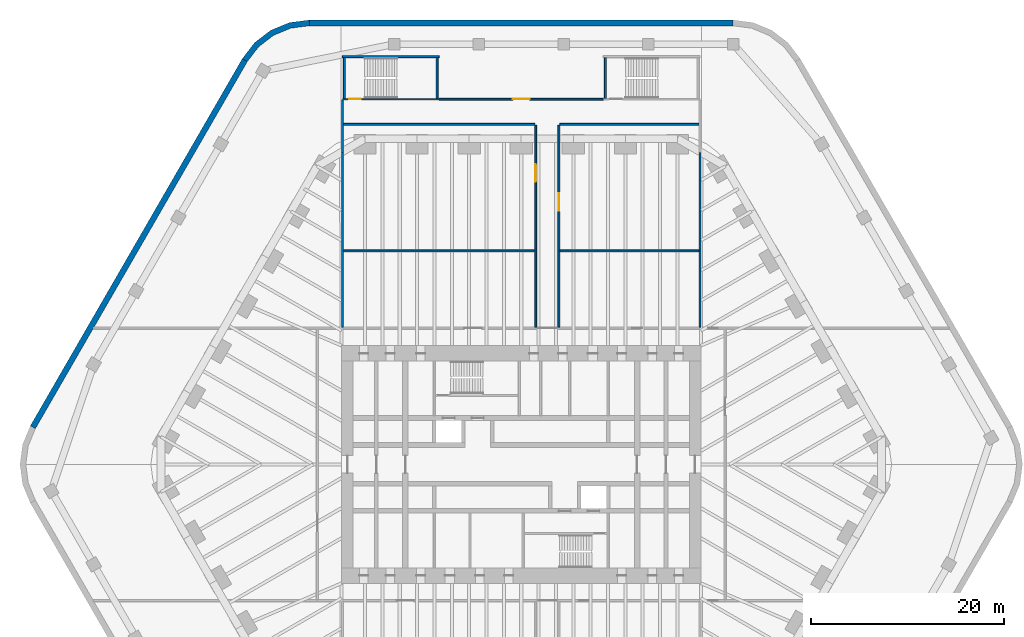
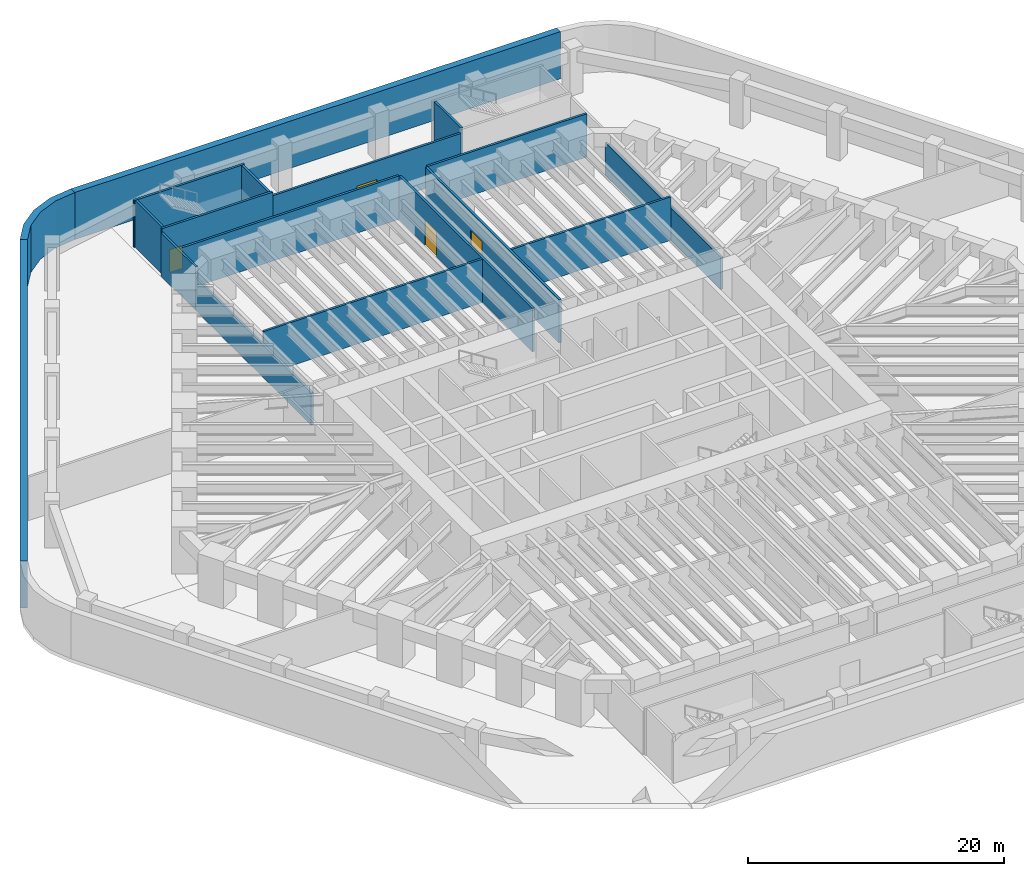
# One storey, part 10 of 12: 18 walls, 4 doors, 4 openings.
"""IFC4 building model written with IfcOpenShell, lengths in metres."""

from ifc_helpers import new_model, si_unit, direction, frame, frame_2d, origin, place, context, subcontext, project, spatial, polyline, rectangle, outline, extrude, material, layer, layer_set, type_object, element, fill, save


model = new_model("IFC4")

# Units and contexts
model_context = context("Model", 3, precision=1e-05, world=origin(), true_north=direction((0.0, 1.0)))
body_context = subcontext(model_context, "Body", "Model", "MODEL_VIEW")
ifc_project = project(units=[si_unit("LENGTHUNIT", "METRE"), si_unit("AREAUNIT", "SQUARE_METRE"), si_unit("VOLUMEUNIT", "CUBIC_METRE"), si_unit("PLANEANGLEUNIT", "RADIAN"), si_unit("MASSUNIT", "GRAM", prefix="KILO")], contexts=[model_context])

# Site, building, storey
site_placement = place(None, origin())
site = spatial("IfcSite", under=ifc_project, at=site_placement, CompositionType="ELEMENT")
building_placement = place(site_placement, origin())
building = spatial("IfcBuilding", under=site, at=building_placement, Name="Tarfa Lantern Tower", CompositionType="ELEMENT")
storey_placement = place(building_placement, frame((0.0, 0.0, -4.5)))
storey = spatial("IfcBuildingStorey", under=building, at=storey_placement, Name="B1", CompositionType="ELEMENT", Elevation=-4.5)

# Walls
ifc_material_1 = material(Name="Concrete blockwork", Category="masonry")
ifc_layer_1 = layer(ifc_material_1, 0.199951171875)
ifc_layer_set_1 = layer_set([ifc_layer_1], Name="IW1 BLOCKWORK PARTITION 200 EI 120")
wall_type_1 = type_object("IfcWallType", Name="IW1 BLOCKWORK PARTITION 200 EI 120", PredefinedType="PARTITIONING", material=ifc_layer_set_1)
wall_1_placement = place(storey_placement, frame((-18.5, 14.199951171875, 0.0), z_axis=(0.0, 0.0, 1.0), x_axis=(0.0, 1.0, 0.0)))
element("IfcWall", 1, at=wall_1_placement, inside=storey, type_object=wall_type_1, Name="Fire-rated partition", PredefinedType="PARTITIONING", context=body_context, shape_type="SweptSolid", body=[
    extrude(rectangle(XDim=18.09033203125, YDim=0.199951171875, at=frame_2d((9.045166015625, 0.0))), origin(), (0.0, 0.0, 1.0), 3.093994140625),
])
wall_2_placement = place(storey_placement, frame((-18.5, 32.290283203125, 0.0), z_axis=(0.0, 0.0, 1.0), x_axis=(0.0, 1.0, 0.0)))
element("IfcWall", 2, at=wall_2_placement, inside=storey, type_object=wall_type_1, Name="Fire-rated partition", PredefinedType="PARTITIONING", context=body_context, shape_type="SweptSolid", body=[
    extrude(rectangle(XDim=5.40966796875, YDim=0.199951171875, at=frame_2d((2.704833984375, 0.0))), origin(), (0.0, 0.0, 1.0), 4.14990234375),
])
wall_3_placement = place(storey_placement, frame((18.5, 14.199951171875, 0.0), z_axis=(0.0, 0.0, 1.0), x_axis=(0.0, 1.0, 0.0)))
element("IfcWall", 3, at=wall_3_placement, inside=storey, type_object=wall_type_1, Name="Fire-rated partition", PredefinedType="PARTITIONING", context=body_context, shape_type="SweptSolid", body=[
    extrude(rectangle(XDim=18.09033203125, YDim=0.199951171875, at=frame_2d((9.045166015625, 0.0))), origin(), (0.0, 0.0, 1.0), 3.093994140625),
])

# Wall, opening, door
wall_4_placement = place(storey_placement, frame((1.5, 14.199951171875, 0.0), z_axis=(0.0, 0.0, 1.0), x_axis=(0.0, 1.0, 0.0)))
wall_4 = element("IfcWall", 4, at=wall_4_placement, inside=storey, type_object=wall_type_1, Name="Fire-rated partition", PredefinedType="PARTITIONING", context=body_context, shape_type="SweptSolid", body=[
    extrude(rectangle(XDim=20.900146484375, YDim=0.199951171875, at=frame_2d((10.4501953125, 0.0))), origin(), (0.0, 0.0, 1.0), 4.14990234375),
])
opening_1_placement = place(wall_4_placement, frame((15.050048828125, 0.0, 0.0)))
opening_1 = element("IfcOpeningElement", 5, at=opening_1_placement, cuts=wall_4, Name="Opening D39", PredefinedType="OPENING", context=body_context, shape_type="SweptSolid", body=[
    extrude(rectangle(XDim=1.800048828125, YDim=2.39990234375, at=frame_2d((0.89990234375, 1.199951171875))), frame((0.0, 0.10986328125, 0.0), z_axis=(0.0, -1.0, 0.0), x_axis=(1.0, 0.0, 0.0)), (0.0, 0.0, 1.0), 0.219970703125),
])
ifc_material_2 = material(Name="Steel fire door", Category="steel")
door_type_1 = type_object("IfcDoorType", Name="DF7 FIRE DOOR 1800x2400", OperationType="DOUBLE_DOOR_SINGLE_SWING", PredefinedType="DOOR", material=ifc_material_2)
door_1_placement = place(opening_1_placement, origin())
door_1 = element("IfcDoor", 6, at=door_1_placement, inside=storey, type_object=door_type_1, Name="Company archive door", OperationType="DOUBLE_DOOR_SINGLE_SWING", OverallHeight=2.39990234375, OverallWidth=1.800048828125, PredefinedType="DOOR", context=body_context, shape_type="SweptSolid", body=[
    extrude(rectangle(XDim=1.800048828125, YDim=2.39990234375, at=frame_2d((0.89990234375, 1.199951171875))), frame((0.0, 0.02490234375, 0.0), z_axis=(0.0, -1.0, 0.0), x_axis=(1.0, 0.0, 0.0)), (0.0, 0.0, 1.0), 0.050048828125),
])
fill(opening_1, door_1)

wall_5_placement = place(storey_placement, frame((3.89990234375, 14.199951171875, 0.0), z_axis=(0.0, 0.0, 1.0), x_axis=(0.0, 1.0, 0.0)))
wall_5 = element("IfcWall", 7, at=wall_5_placement, inside=storey, type_object=wall_type_1, Name="Fire-rated partition", PredefinedType="PARTITIONING", context=body_context, shape_type="SweptSolid", body=[
    extrude(rectangle(XDim=20.900146484375, YDim=0.199951171875, at=frame_2d((10.4501953125, 0.0))), origin(), (0.0, 0.0, 1.0), 4.14990234375),
])
opening_2_placement = place(wall_5_placement, frame((12.050048828125, 0.0, 0.0)))
opening_2 = element("IfcOpeningElement", 8, at=opening_2_placement, cuts=wall_5, Name="Opening D37", PredefinedType="OPENING", context=body_context, shape_type="SweptSolid", body=[
    extrude(rectangle(XDim=1.800048828125, YDim=2.39990234375, at=frame_2d((0.89990234375, 1.199951171875))), frame((0.0, 0.10986328125, 0.0), z_axis=(0.0, -1.0, 0.0), x_axis=(1.0, 0.0, 0.0)), (0.0, 0.0, 1.0), 0.219970703125),
])
door_2_placement = place(opening_2_placement, frame((1.800048828125, 0.0, 0.0), z_axis=(0.0, 0.0, 1.0), x_axis=(-1.0, 0.0, 0.0)))
door_2 = element("IfcDoor", 9, at=door_2_placement, inside=storey, type_object=door_type_1, Name="Plant room door", OperationType="DOUBLE_DOOR_SINGLE_SWING", OverallHeight=2.39990234375, OverallWidth=1.800048828125, PredefinedType="DOOR", context=body_context, shape_type="SweptSolid", body=[
    extrude(rectangle(XDim=1.800048828125, YDim=2.39990234375, at=frame_2d((0.89990234375, 1.199951171875))), frame((0.0, 0.02490234375, 0.0), z_axis=(0.0, -1.0, 0.0), x_axis=(1.0, 0.0, 0.0)), (0.0, 0.0, 1.0), 0.050048828125),
])
fill(opening_2, door_2)

# Walls
wall_6_placement = place(storey_placement, frame((-18.39990234375, 22.10009765625, 0.0), z_axis=(0.0, 0.0, 1.0), x_axis=(1.0, 0.0, 0.0)))
element("IfcWall", 10, at=wall_6_placement, inside=storey, type_object=wall_type_1, Name="Fire-rated partition", PredefinedType="PARTITIONING", context=body_context, shape_type="SweptSolid", body=[
    extrude(rectangle(XDim=19.7998046875, YDim=0.199951171875, at=frame_2d((9.89990234375, 0.0))), origin(), (0.0, 0.0, 1.0), 4.14990234375),
])
wall_7_placement = place(storey_placement, frame((4.0, 22.10009765625, 0.0), z_axis=(0.0, 0.0, 1.0), x_axis=(1.0, 0.0, 0.0)))
element("IfcWall", 11, at=wall_7_placement, inside=storey, type_object=wall_type_1, Name="Fire-rated partition", PredefinedType="PARTITIONING", context=body_context, shape_type="SweptSolid", body=[
    extrude(rectangle(XDim=14.39990234375, YDim=0.199951171875, at=frame_2d((7.199951171875, 0.0))), origin(), (0.0, 0.0, 1.0), 4.14990234375),
])
wall_8_placement = place(storey_placement, frame((-18.39990234375, 35.199951171875, 0.0), z_axis=(0.0, 0.0, 1.0), x_axis=(1.0, 0.0, 0.0)))
element("IfcWall", 12, at=wall_8_placement, inside=storey, type_object=wall_type_1, Name="Fire-rated partition", PredefinedType="PARTITIONING", context=body_context, shape_type="SweptSolid", body=[
    extrude(rectangle(XDim=19.7998046875, YDim=0.199951171875, at=frame_2d((9.89990234375, 0.0))), origin(), (0.0, 0.0, 1.0), 4.14990234375),
])
wall_9_placement = place(storey_placement, frame((4.0, 35.199951171875, 0.0), z_axis=(0.0, 0.0, 1.0), x_axis=(1.0, 0.0, 0.0)))
element("IfcWall", 13, at=wall_9_placement, inside=storey, type_object=wall_type_1, Name="Fire-rated partition", PredefinedType="PARTITIONING", context=body_context, shape_type="SweptSolid", body=[
    extrude(rectangle(XDim=14.39990234375, YDim=0.199951171875, at=frame_2d((7.199951171875, 0.0))), origin(), (0.0, 0.0, 1.0), 4.14990234375),
])

# Wall, opening, door
wall_10_placement = place(storey_placement, frame((-8.5, 37.800048828125, 0.0), z_axis=(0.0, 0.0, 1.0), x_axis=(1.0, 0.0, 0.0)))
wall_10 = element("IfcWall", 14, at=wall_10_placement, inside=storey, type_object=wall_type_1, Name="Fire-rated partition", PredefinedType="PARTITIONING", context=body_context, shape_type="SweptSolid", body=[
    extrude(rectangle(XDim=17.0, YDim=0.199951171875, at=frame_2d((8.5, 0.0))), origin(), (0.0, 0.0, 1.0), 4.14990234375),
])
opening_3_placement = place(wall_10_placement, frame((7.60009765625, 0.0, 0.0)))
opening_3 = element("IfcOpeningElement", 15, at=opening_3_placement, cuts=wall_10, Name="Opening D33", PredefinedType="OPENING", context=body_context, shape_type="SweptSolid", body=[
    extrude(rectangle(XDim=1.800048828125, YDim=2.39990234375, at=frame_2d((0.89990234375, 1.199951171875))), frame((0.0, 0.10986328125, 0.0), z_axis=(0.0, -1.0, 0.0), x_axis=(1.0, 0.0, 0.0)), (0.0, 0.0, 1.0), 0.219970703125),
])
door_3_placement = place(opening_3_placement, origin())
door_3 = element("IfcDoor", 16, at=door_3_placement, inside=storey, type_object=door_type_1, Name="Plant room door", OperationType="DOUBLE_DOOR_SINGLE_SWING", OverallHeight=2.39990234375, OverallWidth=1.800048828125, PredefinedType="DOOR", context=body_context, shape_type="SweptSolid", body=[
    extrude(rectangle(XDim=1.800048828125, YDim=2.39990234375, at=frame_2d((0.89990234375, 1.199951171875))), frame((0.0, 0.02490234375, 0.0), z_axis=(0.0, -1.0, 0.0), x_axis=(1.0, 0.0, 0.0)), (0.0, 0.0, 1.0), 0.050048828125),
])
fill(opening_3, door_3)

# Walls
ifc_material_3 = material(Name="Concrete C50/60", Category="concrete")
ifc_layer_2 = layer(ifc_material_3, 0.60009765625)
ifc_layer_set_2 = layer_set([ifc_layer_2], Name="RW1 RETAINING WALL 600")
wall_type_2 = type_object("IfcWallType", Name="RW1 RETAINING WALL 600", PredefinedType="SOLIDWALL", material=ifc_layer_set_2)
wall_11_placement = place(storey_placement, frame((21.939208984375, 45.699951171875, 0.0), z_axis=(0.0, 0.0, 1.0), x_axis=(-1.0, 0.0, 0.0)))
element("IfcWall", 17, at=wall_11_placement, inside=storey, type_object=wall_type_2, Name="Retaining wall N", PredefinedType="SOLIDWALL", context=body_context, shape_type="SweptSolid", body=[
    extrude(rectangle(XDim=43.87841796875, YDim=0.60009765625, at=frame_2d((21.939208984375, 0.0))), origin(), (0.0, 0.0, 1.0), 4.5),
])
wall_12_placement = place(storey_placement, origin())
element("IfcWall", 18, at=wall_12_placement, inside=storey, type_object=wall_type_2, Name="Retaining wall corner N", PredefinedType="SOLIDWALL", context=body_context, shape_type="SweptSolid", body=[
    extrude(outline(polyline([(-21.939208984375, 46.0), (-24.009765625, 45.727294921875), (-25.939208984375, 44.92822265625), (-27.59619140625, 43.65673828125), (-28.867431640625, 42.0), (-28.347900390625, 41.699951171875), (-27.171875, 43.232666015625), (-25.639404296875, 44.40869140625), (-23.8544921875, 45.14794921875), (-21.939208984375, 45.39990234375), (-21.939208984375, 46.0)])), origin(), (0.0, 0.0, 1.0), 4.5),
])
wall_13_placement = place(storey_placement, frame((-28.607666015625, 41.85009765625, 0.0), z_axis=(0.0, 0.0, 1.0), x_axis=(-0.500002442456, -0.866023993627, 0.0)))
element("IfcWall", 19, at=wall_13_placement, inside=storey, type_object=wall_type_2, Name="Retaining wall NW", PredefinedType="SOLIDWALL", context=body_context, shape_type="SweptSolid", body=[
    extrude(rectangle(XDim=43.878662109375, YDim=0.60009765625, at=frame_2d((21.939453125, 0.0))), origin(), (0.0, 0.0, 1.0), 4.5),
])
ifc_material_4 = material(Name="Concrete C80/95", Category="concrete")
ifc_layer_3 = layer(ifc_material_4, 0.199951171875)
ifc_layer_set_3 = layer_set([ifc_layer_3], Name="SW12 CORE WALL 200")
wall_type_3 = type_object("IfcWallType", Name="SW12 CORE WALL 200", PredefinedType="SHEAR", material=ifc_layer_set_3)
wall_14_placement = place(storey_placement, frame((8.699951171875, 42.10009765625, 0.0), z_axis=(0.0, 0.0, 1.0), x_axis=(0.0, -1.0, 0.0)))
element("IfcWall", 20, at=wall_14_placement, inside=storey, type_object=wall_type_3, Name="Stair ST3 shaft wall", PredefinedType="SHEAR", context=body_context, shape_type="SweptSolid", body=[
    extrude(rectangle(XDim=4.2001953125, YDim=0.199951171875, at=frame_2d((2.10009765625, 0.0))), origin(), (0.0, 0.0, 1.0), 4.5),
])

# Wall, opening, door
wall_15_placement = place(storey_placement, frame((-18.5, 37.800048828125, 0.0), z_axis=(0.0, 0.0, 1.0), x_axis=(1.0, 0.0, 0.0)))
wall_15 = element("IfcWall", 21, at=wall_15_placement, inside=storey, type_object=wall_type_3, Name="Stair ST4 shaft wall", PredefinedType="SHEAR", context=body_context, shape_type="SweptSolid", body=[
    extrude(rectangle(XDim=10.0, YDim=0.199951171875, at=frame_2d((5.0, 0.0))), origin(), (0.0, 0.0, 1.0), 4.5),
])
opening_4_placement = place(wall_15_placement, frame((0.699951171875, 0.0, 0.0)))
opening_4 = element("IfcOpeningElement", 22, at=opening_4_placement, cuts=wall_15, Name="Opening D30", PredefinedType="OPENING", context=body_context, shape_type="SweptSolid", body=[
    extrude(rectangle(XDim=1.199951171875, YDim=2.199951171875, at=frame_2d((0.60009765625, 1.10009765625))), frame((0.0, 0.10986328125, 0.0), z_axis=(0.0, -1.0, 0.0), x_axis=(1.0, 0.0, 0.0)), (0.0, 0.0, 1.0), 0.219970703125),
])
door_type_2 = type_object("IfcDoorType", Name="DF9 STAIR DOOR 1200x2200", OperationType="SINGLE_SWING_LEFT", PredefinedType="DOOR", material=ifc_material_2)
door_4_placement = place(opening_4_placement, origin())
door_4 = element("IfcDoor", 23, at=door_4_placement, inside=storey, type_object=door_type_2, Name="Stair door", OperationType="SINGLE_SWING_RIGHT", OverallHeight=2.199951171875, OverallWidth=1.199951171875, PredefinedType="DOOR", context=body_context, shape_type="SweptSolid", body=[
    extrude(rectangle(XDim=1.199951171875, YDim=2.199951171875, at=frame_2d((0.60009765625, 1.10009765625))), frame((0.0, 0.02490234375, 0.0), z_axis=(0.0, -1.0, 0.0), x_axis=(1.0, 0.0, 0.0)), (0.0, 0.0, 1.0), 0.050048828125),
])
fill(opening_4, door_4)

# Walls
wall_16_placement = place(storey_placement, frame((-8.5, 42.199951171875, 0.0), z_axis=(0.0, 0.0, 1.0), x_axis=(-1.0, 0.0, 0.0)))
element("IfcWall", 24, at=wall_16_placement, inside=storey, type_object=wall_type_3, Name="Stair ST4 shaft wall", PredefinedType="SHEAR", context=body_context, shape_type="SweptSolid", body=[
    extrude(rectangle(XDim=10.0, YDim=0.199951171875, at=frame_2d((5.0, 0.0))), origin(), (0.0, 0.0, 1.0), 4.5),
])
for number, where, z_axis, x_axis, name in (
    (25, (-18.300048828125, 42.10009765625, 0.0), (0.0, 0.0, 1.0), (0.0, -1.0, 0.0), "Stair ST4 shaft wall"),
    (26, (-8.699951171875, 37.89990234375, 0.0), (0.0, 0.0, 1.0), (0.0, 1.0, 0.0), "Stair ST4 shaft wall"),
):
    element("IfcWall", number, at=place(storey_placement, frame(where, z_axis=z_axis, x_axis=x_axis)), inside=storey, type_object=wall_type_3, Name=name, PredefinedType="SHEAR", context=body_context, shape_type="SweptSolid", body=[
        extrude(rectangle(XDim=4.2001953125, YDim=0.199951171875, at=frame_2d((2.10009765625, 0.0))), origin(), (0.0, 0.0, 1.0), 4.5),
    ])

save(model, "model.ifc")
